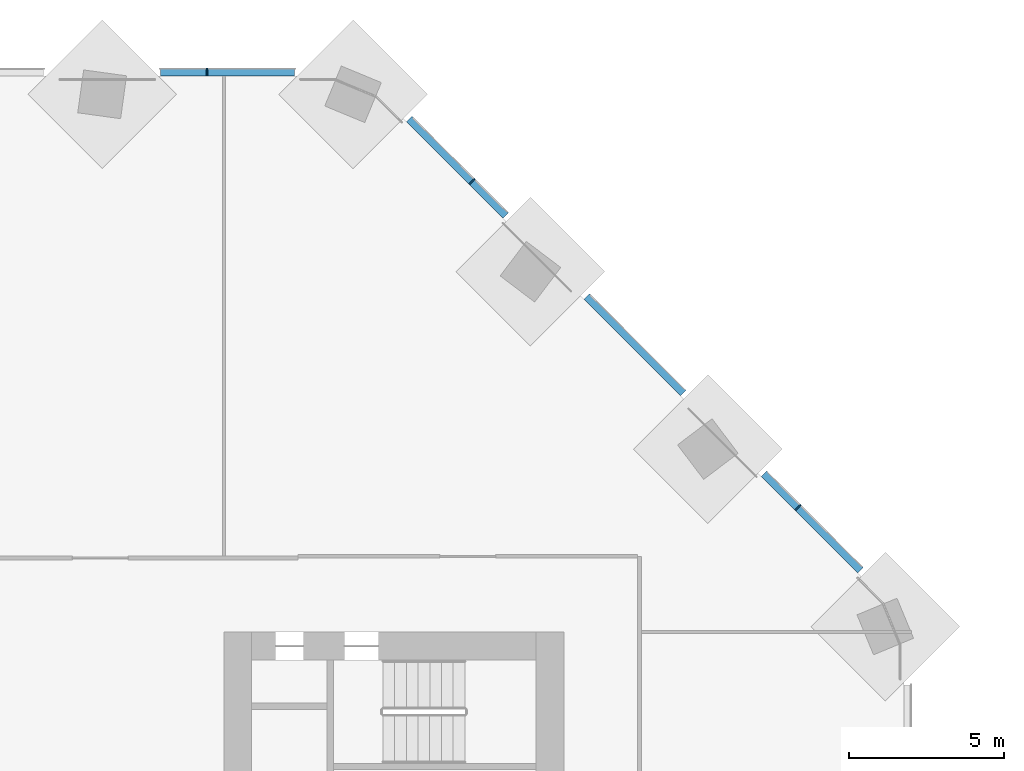
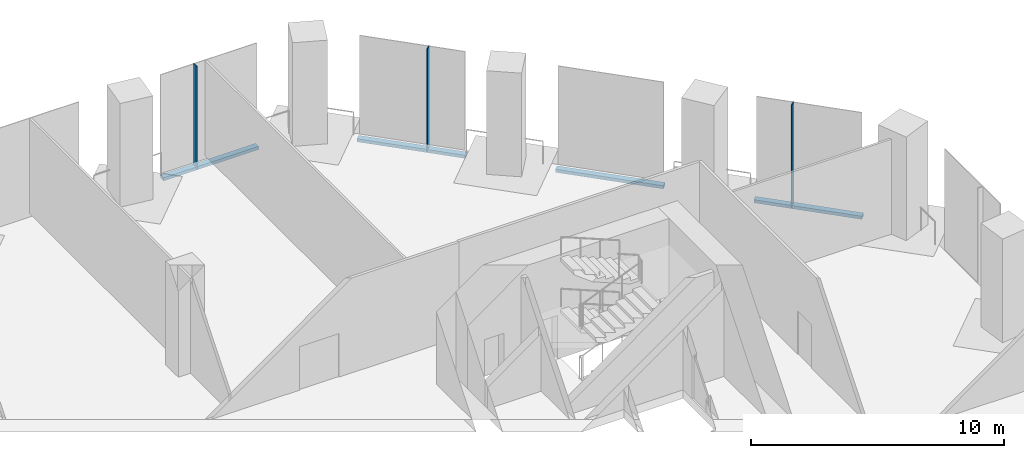
# One storey, part 11 of 27: 7 members, 2 elements without a shape of their own.
"""IFC4 building model written with IfcOpenShell, lengths in metres."""

import ifcopenshell
import ifcopenshell.guid

model = None  # the IFC model being written
_history = None  # IfcOwnerHistory: only IFC2X3 demands one
_inside = {}  # id of a spatial element -> (the spatial element, [elements in it])
_under = {}  # id of a project, library or spatial element -> (it, [spatial elements below it])
_declared = {}  # id of a project -> (the project, [libraries it declares])
_typed = {}  # id of a type object -> (the type object, [elements of that type])
_made_of = {}  # id of a material, layer set ... -> (it, [elements and type objects made of it])


def new_model(schema):
    """Start an empty IFC model of exactly this schema.

    Asked for "IFC4X3", IfcOpenShell would pick the latest addendum, in which some entities
    have other attributes; the version numbers below select the first issue.
    IFC2X3 requires an IfcOwnerHistory on every rooted entity: one is made here for all.
    """
    global model, _history
    if schema == "IFC4X3":
        model = ifcopenshell.file(schema_version=(4, 3, 0, 0))
    else:
        model = ifcopenshell.file(schema=schema)
    _inside.clear()
    _under.clear()
    _declared.clear()
    _typed.clear()
    _made_of.clear()
    _history = None
    if model.schema == "IFC2X3":
        org = make("IfcOrganization", Name="unknown")
        user = make(
            "IfcPersonAndOrganization",
            ThePerson=make("IfcPerson", FamilyName="unknown"),
            TheOrganization=org,
        )
        app = make(
            "IfcApplication",
            ApplicationDeveloper=org,
            Version="unknown",
            ApplicationFullName="unknown",
            ApplicationIdentifier="unknown",
        )
        _history = make(
            "IfcOwnerHistory",
            OwningUser=user,
            OwningApplication=app,
            ChangeAction="ADDED",
            CreationDate=0,
        )
    return model


def make(cls, **values):
    """One entity of the class cls with the attributes given. An attribute that is None is left unset."""
    return model.create_entity(
        cls, **{name: value for name, value in values.items() if value is not None}
    )


def rooted(cls, **values):
    """An entity with a GlobalId (a new one), such as an element, a storey or a relation."""
    return make(cls, GlobalId=ifcopenshell.guid.new(), OwnerHistory=_history, **values)


def si_unit(unit_type, name, prefix=None):
    """IfcSIUnit, for example si_unit("LENGTHUNIT", "METRE", prefix="MILLI")."""
    return make("IfcSIUnit", UnitType=unit_type, Prefix=prefix, Name=name)


def assignment(units):
    """IfcUnitAssignment: the units of a project."""
    return None if units is None else make("IfcUnitAssignment", Units=units)


def point(xyz):
    """IfcCartesianPoint."""
    return None if xyz is None else make("IfcCartesianPoint", Coordinates=xyz)


def direction(xyz):
    """IfcDirection."""
    return None if xyz is None else make("IfcDirection", DirectionRatios=xyz)


def frame(location, z_axis=None, x_axis=None):
    """IfcAxis2Placement3D, a coordinate frame: its origin and axes. An axis left out is left unset."""
    return make(
        "IfcAxis2Placement3D",
        Location=point(location),
        Axis=direction(z_axis),
        RefDirection=direction(x_axis),
    )


def frame_2d(location, x_axis=None):
    """IfcAxis2Placement2D, a coordinate frame in the plane: its origin and x axis."""
    return make(
        "IfcAxis2Placement2D", Location=point(location), RefDirection=direction(x_axis)
    )


def origin():
    """The frame at (0, 0, 0) with its axes left unset."""
    return frame((0.0, 0.0, 0.0))


def origin_2d():
    """The frame at (0, 0) in the plane with its x axis left unset."""
    return frame_2d((0.0, 0.0))


def place(relative_to, where):
    """IfcLocalPlacement: puts the frame where relative to a parent placement (None: the world)."""
    return make(
        "IfcLocalPlacement", PlacementRelTo=relative_to, RelativePlacement=where
    )


def context(
    kind, dimensions, precision=None, world=None, true_north=None, identifier=None
):
    """IfcGeometricRepresentationContext, for example the 3D "Model" context."""
    return make(
        "IfcGeometricRepresentationContext",
        ContextIdentifier=identifier,
        ContextType=kind,
        CoordinateSpaceDimension=dimensions,
        Precision=precision,
        WorldCoordinateSystem=world,
        TrueNorth=true_north,
    )


def subcontext(parent, identifier, kind, view, scale=None):
    """IfcGeometricRepresentationSubContext, for example "Body" below "Model"."""
    return make(
        "IfcGeometricRepresentationSubContext",
        ContextIdentifier=identifier,
        ContextType=kind,
        ParentContext=parent,
        TargetScale=scale,
        TargetView=view,
    )


def project(units=None, contexts=None):
    """IfcProject with its units and contexts."""
    return rooted(
        "IfcProject",
        Name="project",
        RepresentationContexts=contexts,
        UnitsInContext=assignment(units),
    )


def spatial(cls, under=None, at=None, **own):
    """A site, building, storey or space (cls), placed at a placement, below another one or the project."""
    s = rooted(cls, ObjectPlacement=at, **own)
    if under is not None:
        _under.setdefault(under.id(), (under, []))[1].append(s)
    return s


def profile(cls, at=None, kind="AREA", **sizes):
    """A parametric profile (cls). Its sizes go by their IFC names, for example OverallWidth=200.0."""
    return make(cls, ProfileType=kind, Position=at, **sizes)


def rectangle(**sizes):
    """IfcRectangleProfileDef."""
    return profile("IfcRectangleProfileDef", **sizes)


def extrude(swept, where, along, depth):
    """IfcExtrudedAreaSolid: the profile swept, set in the frame where, extruded along a direction by depth."""
    return make(
        "IfcExtrudedAreaSolid",
        SweptArea=swept,
        Position=where,
        ExtrudedDirection=direction(along),
        Depth=depth,
    )


def shape(context_of_items, identifier, shape_type, items):
    """IfcShapeRepresentation: the items that make up one representation, for example the "Body"."""
    return make(
        "IfcShapeRepresentation",
        ContextOfItems=context_of_items,
        RepresentationIdentifier=identifier,
        RepresentationType=shape_type,
        Items=items,
    )


def material(Name=None, Category=None):
    """IfcMaterial."""
    return make("IfcMaterial", Name=Name, Category=Category)


def material_profile(
    of_material, cross_section, Name=None, Category=None, Priority=None
):
    """IfcMaterialProfile: a cross section and its material."""
    return make(
        "IfcMaterialProfile",
        Name=Name,
        Material=of_material,
        Profile=cross_section,
        Priority=Priority,
        Category=Category,
    )


def profile_set(profiles, Name=None, composite=None):
    """IfcMaterialProfileSet."""
    return make(
        "IfcMaterialProfileSet",
        Name=Name,
        MaterialProfiles=profiles,
        CompositeProfile=composite,
    )


def made_of(thing, what):
    """Note that an element or type object is made of a material, layer set ...; save() writes the relation."""
    if what is not None:
        _made_of.setdefault(what.id(), (what, []))[1].append(thing)
    return thing


def type_object(cls, material=None, **own):
    """A type object (cls), such as IfcWallType, which elements share."""
    return made_of(rooted(cls, **own), material)


def element(
    cls,
    number,
    at=None,
    inside=None,
    cuts=None,
    type_object=None,
    material=None,
    context=None,
    identifier="Body",
    shape_type=None,
    held_by="IfcProductDefinitionShape",
    body=None,
    shapes=None,
    **own,
):
    """One element of the class cls, such as IfcWall. Its Tag is "e" and its number.

    at: its placement. inside: the storey or other place that contains it. cuts: it is an
    opening in that element (IfcRelVoidsElement). A single representation is given by context,
    identifier, shape_type and body (its items); several are given by shapes. held_by: the class
    of the entity that holds the representations. save() writes the other relations.
    """
    e = rooted(cls, Tag="e%d" % number, ObjectPlacement=at, **own)
    if body is not None:
        shapes = [shape(context, identifier, shape_type, body)]
    if shapes is not None:
        e.Representation = make(held_by, Representations=shapes)
    if inside is not None:
        _inside.setdefault(inside.id(), (inside, []))[1].append(e)
    if cuts is not None:
        rooted(
            "IfcRelVoidsElement", RelatingBuildingElement=cuts, RelatedOpeningElement=e
        )
    if type_object is not None:
        _typed.setdefault(type_object.id(), (type_object, []))[1].append(e)
    return made_of(e, material)


def aggregate(whole, parts):
    """IfcRelAggregates: a whole, such as a stair, and the parts it consists of."""
    return rooted("IfcRelAggregates", RelatingObject=whole, RelatedObjects=parts)


def save(model, path):
    """Write the relations noted so far, then the file.

    IfcRelAggregates (storeys below a building ...), IfcRelContainedInSpatialStructure (elements
    in a storey), IfcRelDefinesByType, IfcRelAssociatesMaterial and IfcRelDeclares: one each for
    every whole, place, type object, material and project.
    """
    for whole, parts in _under.values():
        aggregate(whole, parts)
    for where, things in _inside.values():
        rooted(
            "IfcRelContainedInSpatialStructure",
            RelatedElements=things,
            RelatingStructure=where,
        )
    for kind, things in _typed.values():
        rooted("IfcRelDefinesByType", RelatedObjects=things, RelatingType=kind)
    for what, things in _made_of.values():
        rooted("IfcRelAssociatesMaterial", RelatedObjects=things, RelatingMaterial=what)
    for by, libraries in _declared.values():
        rooted("IfcRelDeclares", RelatingContext=by, RelatedDefinitions=libraries)
    model.write(path)


model = new_model("IFC4")

# Units and contexts
model_context = context("Model", 3, precision=1e-05, world=origin(), true_north=direction((0.0, 1.0)))
body_context = subcontext(model_context, "Body", "Model", "MODEL_VIEW")
ifc_project = project(units=[si_unit("LENGTHUNIT", "METRE"), si_unit("AREAUNIT", "SQUARE_METRE"), si_unit("VOLUMEUNIT", "CUBIC_METRE"), si_unit("PLANEANGLEUNIT", "RADIAN"), si_unit("MASSUNIT", "GRAM", prefix="KILO")], contexts=[model_context])

# Site, building, storey
site_placement = place(None, origin())
site = spatial("IfcSite", under=ifc_project, at=site_placement, CompositionType="ELEMENT")
building_placement = place(site_placement, origin())
building = spatial("IfcBuilding", under=site, at=building_placement, Name="Orlundy Tower", CompositionType="ELEMENT")
storey_placement = place(building_placement, frame((0.0, 0.0, 10.5)))
storey = spatial("IfcBuildingStorey", under=building, at=storey_placement, Name="L01", CompositionType="ELEMENT", Elevation=10.5)

# Curtain wall, member
ifc_material_1 = material(Name="Aluminium bronze anodised", Category="aluminium")
curtain_wall_type = type_object("IfcCurtainWallType", Name="CW2 wall", PredefinedType="NOTDEFINED", material=ifc_material_1)
curtain_wall_1_placement = place(storey_placement, origin())
curtain_wall_1 = element("IfcCurtainWall", 1, at=curtain_wall_1_placement, inside=storey, type_object=curtain_wall_type, Name="CW2 run 015", PredefinedType="NOTDEFINED")
ifc_material_2 = material(Name="Aluminium bronze anodised", Category="aluminium")
ifc_material_profile_1 = material_profile(ifc_material_2, rectangle(XDim=0.25, YDim=0.050048828125, at=origin_2d()), Name="CW2 mullion 50x250")
ifc_profile_set_1 = profile_set([ifc_material_profile_1], Name="Aluminium bronze anodised")
member_type_1 = type_object("IfcMemberType", Name="CW2 mullion 50x250", PredefinedType="MULLION", material=ifc_profile_set_1)
member_1_placement = place(storey_placement, frame((7.45556640625, 30.125, -0.39990234375), z_axis=(0.0, 0.0, 1.0), x_axis=(0.0, 1.0, 0.0)))
member_1 = element("IfcMember", 2, at=member_1_placement, type_object=member_type_1, Name="CW2 mullion 43", PredefinedType="MULLION", context=body_context, shape_type="SweptSolid", body=[
    extrude(rectangle(XDim=0.25, YDim=0.050048828125, at=origin_2d()), origin(), (0.0, 0.0, 1.0), 5.0),
])

# Curtain wall, members
curtain_wall_2_placement = place(storey_placement, origin())
curtain_wall_2 = element("IfcCurtainWall", 3, at=curtain_wall_2_placement, inside=storey, type_object=curtain_wall_type, Name="CW2 run 016", PredefinedType="NOTDEFINED")
member_2_placement = place(storey_placement, frame((16.029296875, 26.573486328125, -0.39990234375), z_axis=(0.0, 0.0, 1.0), x_axis=(0.707106781187, 0.707106781187, 0.0)))
member_2 = element("IfcMember", 4, at=member_2_placement, type_object=member_type_1, Name="CW2 mullion 45", PredefinedType="MULLION", context=body_context, shape_type="SweptSolid", body=[
    extrude(rectangle(XDim=0.25, YDim=0.050048828125, at=origin_2d()), origin(), (0.0, 0.0, 1.0), 5.0),
])
member_3_placement = place(storey_placement, frame((26.573486328125, 16.029296875, -0.39990234375), z_axis=(0.0, 0.0, 1.0), x_axis=(0.707106781187, 0.707106781187, 0.0)))
member_3 = element("IfcMember", 5, at=member_3_placement, type_object=member_type_1, Name="CW2 mullion 48", PredefinedType="MULLION", context=body_context, shape_type="SweptSolid", body=[
    extrude(rectangle(XDim=0.25, YDim=0.050048828125, at=origin_2d()), origin(), (0.0, 0.0, 1.0), 5.0),
])

# Member
ifc_material_3 = material(Name="Aluminium bronze anodised", Category="aluminium")
ifc_material_profile_2 = material_profile(ifc_material_3, rectangle(XDim=0.25, YDim=0.14990234375, at=origin_2d()), Name="CW2 transom 250x150")
ifc_profile_set_2 = profile_set([ifc_material_profile_2], Name="Aluminium bronze anodised")
member_type_2 = type_object("IfcMemberType", Name="CW2 transom 250x150", PredefinedType="USERDEFINED", material=ifc_profile_set_2)
member_4_placement = place(storey_placement, frame((5.9501953125, 30.125, -0.324951171875), z_axis=(1.0, 0.0, 0.0), x_axis=(0.0, 1.0, 0.0)))
member_4 = element("IfcMember", 6, at=member_4_placement, type_object=member_type_2, Name="CW2 transom", ObjectType="TRANSOM", PredefinedType="USERDEFINED", context=body_context, shape_type="SweptSolid", body=[
    extrude(rectangle(XDim=0.25, YDim=0.14990234375, at=origin_2d()), origin(), (0.0, 0.0, 1.0), 4.33642578125),
])

aggregate(curtain_wall_1, [member_1, member_4])

member_5_placement = place(storey_placement, frame((13.99853515625, 28.604248046875, -0.324951171875), z_axis=(0.707106781187, -0.707106781187, 0.0), x_axis=(0.707106781187, 0.707106781187, 0.0)))
member_5 = element("IfcMember", 7, at=member_5_placement, type_object=member_type_2, Name="CW2 transom", ObjectType="TRANSOM", PredefinedType="USERDEFINED", context=body_context, shape_type="SweptSolid", body=[
    extrude(rectangle(XDim=0.25, YDim=0.14990234375, at=origin_2d()), origin(), (0.0, 0.0, 1.0), 4.419189453125),
])

member_6_placement = place(storey_placement, frame((19.739501953125, 22.86328125, -0.324951171875), z_axis=(0.707106781187, -0.707106781187, 0.0), x_axis=(0.707106781187, 0.707106781187, 0.0)))
member_6 = element("IfcMember", 8, at=member_6_placement, type_object=member_type_2, Name="CW2 transom", ObjectType="TRANSOM", PredefinedType="USERDEFINED", context=body_context, shape_type="SweptSolid", body=[
    extrude(rectangle(XDim=0.25, YDim=0.14990234375, at=origin_2d()), origin(), (0.0, 0.0, 1.0), 4.417724609375),
])

member_7_placement = place(storey_placement, frame((25.4794921875, 17.123291015625, -0.324951171875), z_axis=(0.707106781187, -0.707106781187, 0.0), x_axis=(0.707106781187, 0.707106781187, 0.0)))
member_7 = element("IfcMember", 9, at=member_7_placement, type_object=member_type_2, Name="CW2 transom", ObjectType="TRANSOM", PredefinedType="USERDEFINED", context=body_context, shape_type="SweptSolid", body=[
    extrude(rectangle(XDim=0.25, YDim=0.14990234375, at=origin_2d()), origin(), (0.0, 0.0, 1.0), 4.419189453125),
])

aggregate(curtain_wall_2, [member_2, member_3, member_5, member_6, member_7])

save(model, "model.ifc")
